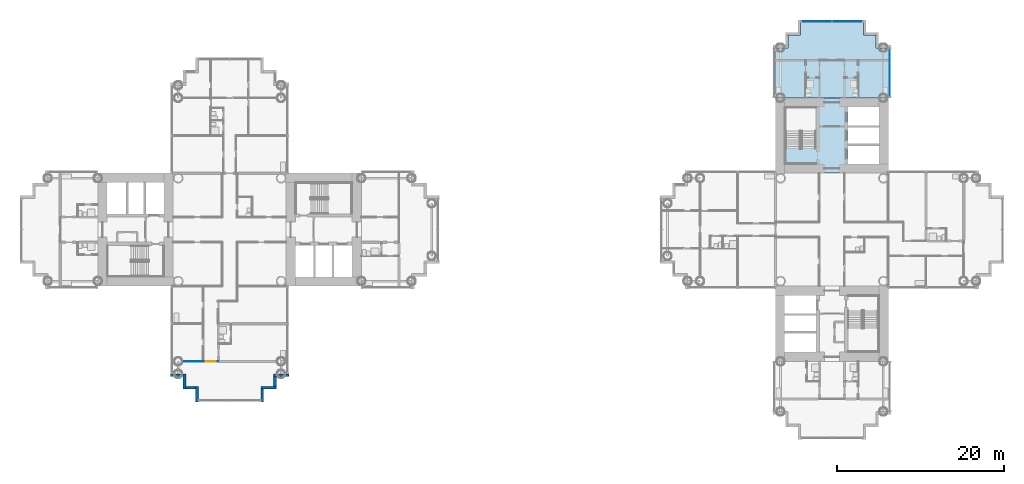
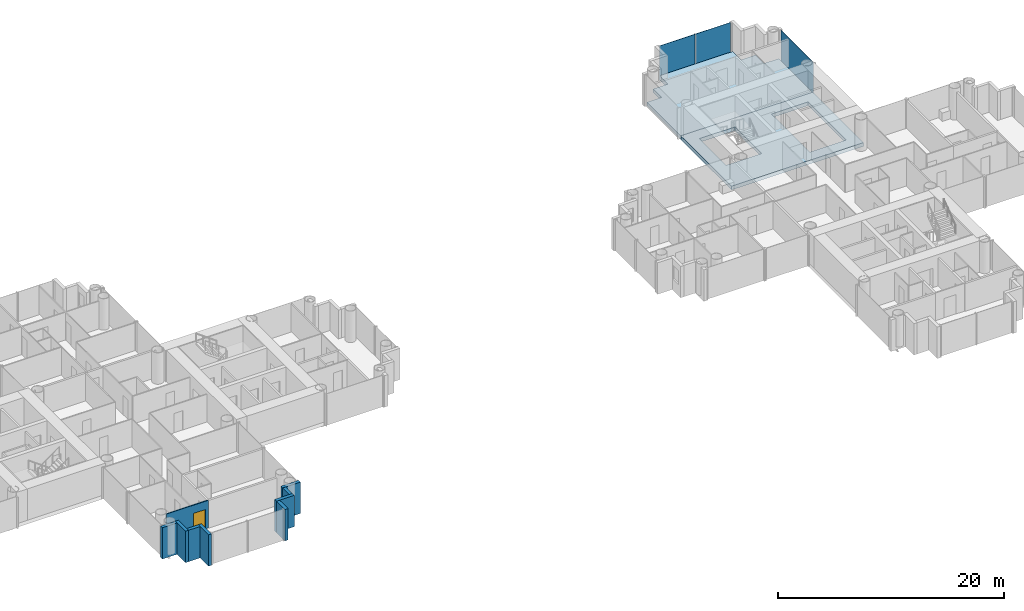
# One storey, part 8 of 21: 9 walls, 3 plates, 2 slabs, 1 door, 1 opening, 2 elements without a shape of their own.
"""IFC4 building model written with IfcOpenShell, lengths in metres."""

from ifc_helpers import new_model, si_unit, direction, frame, frame_2d, origin, origin_2d, place, context, subcontext, project, spatial, polyline, rectangle, outline, extrude, material, layer, layer_set, type_object, element, fill, aggregate, save


model = new_model("IFC4")

# Units and contexts
model_context = context("Model", 3, precision=1e-05, world=origin(), true_north=direction((0.0, 1.0)))
body_context = subcontext(model_context, "Body", "Model", "MODEL_VIEW")
ifc_project = project(units=[si_unit("LENGTHUNIT", "METRE"), si_unit("AREAUNIT", "SQUARE_METRE"), si_unit("VOLUMEUNIT", "CUBIC_METRE"), si_unit("PLANEANGLEUNIT", "RADIAN"), si_unit("MASSUNIT", "GRAM", prefix="KILO")], contexts=[model_context])

# Site, building, storey
site_placement = place(None, origin())
site = spatial("IfcSite", under=ifc_project, at=site_placement, CompositionType="ELEMENT")
building_placement = place(site_placement, origin())
building = spatial("IfcBuilding", under=site, at=building_placement, Name="Ipe Terrace Towers", CompositionType="ELEMENT")
storey_placement = place(building_placement, frame((0.0, 0.0, 27.89990234375)))
storey = spatial("IfcBuildingStorey", under=building, at=storey_placement, Name="L06", CompositionType="ELEMENT", Elevation=27.89990234375)

# Slabs
ifc_material_1 = material(Name="Concrete C30/37", Category="concrete")
ifc_layer_1 = layer(ifc_material_1, 0.39990234375)
ifc_layer_set_1 = layer_set([ifc_layer_1], Name="CORE FLOOR SLAB 400 C30-37")
slab_type_1 = type_object("IfcSlabType", Name="CORE FLOOR SLAB 400 C30-37", PredefinedType="FLOOR", material=ifc_layer_set_1)
slab_1_placement = place(storey_placement, frame((0.0, 0.0, -0.39990234375)))
element("IfcSlab", 1, at=slab_1_placement, inside=storey, type_object=slab_type_1, Name="Core floor T2-C1", PredefinedType="FLOOR", context=body_context, shape_type="SweptSolid", body=[
    extrude(outline(polyline([(29.25, 6.75), (29.25, 15.75), (42.75, 15.75), (42.75, 6.75), (29.25, 6.75)]), holes=[polyline([(41.64990234375, 7.85009765625), (41.64990234375, 14.64990234375), (37.89990234375, 14.64990234375), (37.89990234375, 7.85009765625), (41.64990234375, 7.85009765625)]), polyline([(30.449951171875, 9.800048828125), (34.10009765625, 9.800048828125), (34.10009765625, 14.550048828125), (30.449951171875, 14.550048828125), (30.449951171875, 9.800048828125)])]), origin(), (0.0, 0.0, 1.0), 0.39990234375),
])
ifc_material_2 = material(Name="Concrete C40/50", Category="concrete")
ifc_layer_2 = layer(ifc_material_2, 0.39990234375)
ifc_layer_set_2 = layer_set([ifc_layer_2], Name="FLAT PLATE SLAB 400 C40-50")
slab_type_2 = type_object("IfcSlabType", Name="FLAT PLATE SLAB 400 C40-50", PredefinedType="FLOOR", material=ifc_layer_set_2)
slab_2_placement = place(storey_placement, frame((0.0, 0.0, -0.39990234375)))
element("IfcSlab", 2, at=slab_2_placement, inside=storey, type_object=slab_type_2, Name="Slab T2-FS-Z13", PredefinedType="FLOOR", context=body_context, shape_type="SweptSolid", body=[
    extrude(outline(polyline([(30.75, 21.75), (30.75, 23.25), (32.25, 23.25), (32.25, 24.75), (39.75, 24.75), (39.75, 23.25), (41.25, 23.25), (41.25, 21.75), (42.75, 21.75), (42.75, 15.75), (29.25, 15.75), (29.25, 21.75), (30.75, 21.75)])), origin(), (0.0, 0.0, 1.0), 0.39990234375),
])

# Curtain wall, plate
ifc_material_3 = material(Name="Aluminium alloy 6063-T6", Category="aluminium")
ifc_layer_3 = layer(ifc_material_3, 0.320068359375)
ifc_layer_set_3 = layer_set([ifc_layer_3], Name="TOWER UNITISED CURTAIN WALL")
curtain_wall_type = type_object("IfcCurtainWallType", Name="TOWER UNITISED CURTAIN WALL", PredefinedType="NOTDEFINED", material=ifc_layer_set_3)
curtain_wall_1_placement = place(storey_placement, origin())
curtain_wall_1 = element("IfcCurtainWall", 3, at=curtain_wall_1_placement, inside=storey, type_object=curtain_wall_type, Name="T2-CW-L06-20b curtain wall", PredefinedType="NOTDEFINED")
ifc_material_4 = material(Name="Glass, clear laminated", Category="glass")
ifc_layer_4 = layer(ifc_material_4, 0.031982421875)
ifc_layer_set_4 = layer_set([ifc_layer_4], Name="TOWER UNITISED GLASS PANEL 32")
plate_type = type_object("IfcPlateType", Name="TOWER UNITISED GLASS PANEL 32", PredefinedType="CURTAIN_PANEL", material=ifc_layer_set_4)
plate_1_placement = place(storey_placement, frame((42.909912109375, 18.75048828125, -0.2998046875), z_axis=(0.0, 0.0, 1.0), x_axis=(0.0, 1.0, 0.0)))
plate_1 = element("IfcPlate", 4, at=plate_1_placement, type_object=plate_type, Name="T2-CW-L06-20b panel 1", PredefinedType="CURTAIN_PANEL", context=body_context, shape_type="SweptSolid", body=[
    extrude(rectangle(XDim=5.759033203125, YDim=0.031982421875, at=origin_2d()), origin(), (0.0, 0.0, 1.0), 3.39990234375),
])
aggregate(curtain_wall_1, [plate_1])

# Curtain wall, plates
curtain_wall_2_placement = place(storey_placement, origin())
curtain_wall_2 = element("IfcCurtainWall", 5, at=curtain_wall_2_placement, inside=storey, type_object=curtain_wall_type, Name="T2-CW-L06-25a curtain wall", PredefinedType="NOTDEFINED")
plate_2_placement = place(storey_placement, frame((37.831298828125, 24.909912109375, -0.2998046875), z_axis=(0.0, 0.0, 1.0), x_axis=(-1.0, 0.0, 0.0)))
plate_2 = element("IfcPlate", 6, at=plate_2_placement, type_object=plate_type, Name="T2-CW-L06-25a panel 1", PredefinedType="CURTAIN_PANEL", context=body_context, shape_type="SweptSolid", body=[
    extrude(rectangle(XDim=3.597412109375, YDim=0.031982421875, at=origin_2d()), origin(), (0.0, 0.0, 1.0), 3.39990234375),
])
plate_3_placement = place(storey_placement, frame((34.168701171875, 24.909912109375, -0.2998046875), z_axis=(0.0, 0.0, 1.0), x_axis=(-1.0, 0.0, 0.0)))
plate_3 = element("IfcPlate", 7, at=plate_3_placement, type_object=plate_type, Name="T2-CW-L06-25a panel 2", PredefinedType="CURTAIN_PANEL", context=body_context, shape_type="SweptSolid", body=[
    extrude(rectangle(XDim=3.597412109375, YDim=0.031982421875, at=origin_2d()), origin(), (0.0, 0.0, 1.0), 3.39990234375),
])
aggregate(curtain_wall_2, [plate_2, plate_3])

# Walls
ifc_material_5 = material(Name="Concrete C40/50 with buff precast cladding", Category="concrete")
ifc_layer_5 = layer(ifc_material_5, 0.320068359375)
ifc_layer_set_5 = layer_set([ifc_layer_5], Name="BUFF CLADDING WALL 320")
wall_type_1 = type_object("IfcWallType", Name="BUFF CLADDING WALL 320", PredefinedType="STANDARD", material=ifc_layer_set_5)
wall_1_placement = place(storey_placement, frame((-43.070068359375, -17.409912109375, -0.2998046875), z_axis=(0.0, 0.0, 1.0), x_axis=(1.0, 0.0, 0.0)))
element("IfcWall", 8, at=wall_1_placement, inside=storey, type_object=wall_type_1, Name="T1-W-L06-08a wall", PredefinedType="STANDARD", context=body_context, shape_type="SweptSolid", body=[
    extrude(rectangle(XDim=1.5, YDim=0.320068359375, at=frame_2d((0.75, 0.0))), origin(), (0.0, 0.0, 1.0), 3.39990234375),
])
wall_2_placement = place(storey_placement, frame((-41.409912109375, -17.25, -0.2998046875), z_axis=(0.0, 0.0, 1.0), x_axis=(0.0, -1.0, 0.0)))
element("IfcWall", 9, at=wall_2_placement, inside=storey, type_object=wall_type_1, Name="T1-W-L06-09a wall", PredefinedType="STANDARD", context=body_context, shape_type="SweptSolid", body=[
    extrude(rectangle(XDim=1.820068359375, YDim=0.320068359375, at=frame_2d((0.91015625, 0.0))), origin(), (0.0, 0.0, 1.0), 3.39990234375),
])
wall_3_placement = place(storey_placement, frame((-41.25, -18.909912109375, -0.2998046875), z_axis=(0.0, 0.0, 1.0), x_axis=(1.0, 0.0, 0.0)))
element("IfcWall", 10, at=wall_3_placement, inside=storey, type_object=wall_type_1, Name="T1-W-L06-10a wall", PredefinedType="STANDARD", context=body_context, shape_type="SweptSolid", body=[
    extrude(rectangle(XDim=1.179931640625, YDim=0.320068359375, at=frame_2d((0.58984375, 0.0))), origin(), (0.0, 0.0, 1.0), 3.39990234375),
])
wall_4_placement = place(storey_placement, frame((-39.909912109375, -18.75, -0.2998046875), z_axis=(0.0, 0.0, 1.0), x_axis=(0.0, -1.0, 0.0)))
element("IfcWall", 11, at=wall_4_placement, inside=storey, type_object=wall_type_1, Name="T1-W-L06-11a wall", PredefinedType="STANDARD", context=body_context, shape_type="SweptSolid", body=[
    extrude(rectangle(XDim=1.820068359375, YDim=0.320068359375, at=frame_2d((0.91015625, 0.0))), origin(), (0.0, 0.0, 1.0), 3.39990234375),
])
wall_5_placement = place(storey_placement, frame((-32.090087890625, -20.570068359375, -0.2998046875), z_axis=(0.0, 0.0, 1.0), x_axis=(0.0, 1.0, 0.0)))
element("IfcWall", 12, at=wall_5_placement, inside=storey, type_object=wall_type_1, Name="T1-W-L06-13a wall", PredefinedType="STANDARD", context=body_context, shape_type="SweptSolid", body=[
    extrude(rectangle(XDim=1.5, YDim=0.320068359375, at=frame_2d((0.75, 0.0))), origin(), (0.0, 0.0, 1.0), 3.39990234375),
])
wall_6_placement = place(storey_placement, frame((-32.25, -18.909912109375, -0.2998046875), z_axis=(0.0, 0.0, 1.0), x_axis=(1.0, 0.0, 0.0)))
element("IfcWall", 13, at=wall_6_placement, inside=storey, type_object=wall_type_1, Name="T1-W-L06-14a wall", PredefinedType="STANDARD", context=body_context, shape_type="SweptSolid", body=[
    extrude(rectangle(XDim=1.820068359375, YDim=0.320068359375, at=frame_2d((0.91015625, 0.0))), origin(), (0.0, 0.0, 1.0), 3.39990234375),
])
wall_7_placement = place(storey_placement, frame((-30.590087890625, -18.75, -0.2998046875), z_axis=(0.0, 0.0, 1.0), x_axis=(0.0, 1.0, 0.0)))
element("IfcWall", 14, at=wall_7_placement, inside=storey, type_object=wall_type_1, Name="T1-W-L06-15a wall", PredefinedType="STANDARD", context=body_context, shape_type="SweptSolid", body=[
    extrude(rectangle(XDim=1.179931640625, YDim=0.320068359375, at=frame_2d((0.58984375, 0.0))), origin(), (0.0, 0.0, 1.0), 3.39990234375),
])
wall_8_placement = place(storey_placement, frame((-30.75, -17.409912109375, -0.2998046875), z_axis=(0.0, 0.0, 1.0), x_axis=(1.0, 0.0, 0.0)))
element("IfcWall", 15, at=wall_8_placement, inside=storey, type_object=wall_type_1, Name="T1-W-L06-16a wall", PredefinedType="STANDARD", context=body_context, shape_type="SweptSolid", body=[
    extrude(rectangle(XDim=1.820068359375, YDim=0.320068359375, at=frame_2d((0.91015625, 0.0))), origin(), (0.0, 0.0, 1.0), 3.39990234375),
])

# Wall, opening, door
ifc_material_6 = material(Name="Gypsum board partition", Category="plasterboard")
ifc_layer_6 = layer(ifc_material_6, 0.10009765625)
ifc_layer_set_6 = layer_set([ifc_layer_6], Name="Gypsum board partition 100 mm")
wall_type_2 = type_object("IfcWallType", Name="Gypsum board partition 100 mm", PredefinedType="PARTITIONING", material=ifc_layer_set_6)
wall_9_placement = place(storey_placement, frame((-41.64990234375, -15.75, 0.0), z_axis=(0.0, 0.0, 1.0), x_axis=(1.0, 0.0, 0.0)))
wall_9 = element("IfcWall", 16, at=wall_9_placement, inside=storey, type_object=wall_type_2, Name="Gypsum board partition T1 L06 W22", PredefinedType="PARTITIONING", context=body_context, shape_type="SweptSolid", body=[
    extrude(rectangle(XDim=4.2998046875, YDim=0.10009765625, at=frame_2d((2.14990234375, 0.0))), origin(), (0.0, 0.0, 1.0), 3.0),
])
opening_placement = place(wall_9_placement, frame((2.800048828125, 0.0, 0.0)))
opening = element("IfcOpeningElement", 17, at=opening_placement, cuts=wall_9, Name="Opening T1-Z1A-21", PredefinedType="OPENING", context=body_context, shape_type="SweptSolid", body=[
    extrude(rectangle(XDim=1.199951171875, YDim=2.10009765625, at=frame_2d((0.60009765625, 1.050048828125))), frame((0.0, 0.06005859375, 0.0), z_axis=(0.0, -1.0, 0.0), x_axis=(1.0, 0.0, 0.0)), (0.0, 0.0, 1.0), 0.1201171875),
])
ifc_material_7 = material(Name="Timber door leaf", Category="wood")
door_type = type_object("IfcDoorType", Name="Lounge door 1200 x 2100", OperationType="NOTDEFINED", PredefinedType="DOOR", material=ifc_material_7)
door_placement = place(opening_placement, origin())
door = element("IfcDoor", 18, at=door_placement, inside=storey, type_object=door_type, Name="Lounge door T1-Z1A-21", OperationType="SINGLE_SWING_RIGHT", OverallHeight=2.10009765625, OverallWidth=1.199951171875, PredefinedType="DOOR", context=body_context, shape_type="SweptSolid", body=[
    extrude(rectangle(XDim=1.199951171875, YDim=2.10009765625, at=frame_2d((0.60009765625, 1.050048828125))), frame((0.0, 0.02490234375, 0.0), z_axis=(0.0, -1.0, 0.0), x_axis=(1.0, 0.0, 0.0)), (0.0, 0.0, 1.0), 0.050048828125),
])
fill(opening, door)

save(model, "model.ifc")
